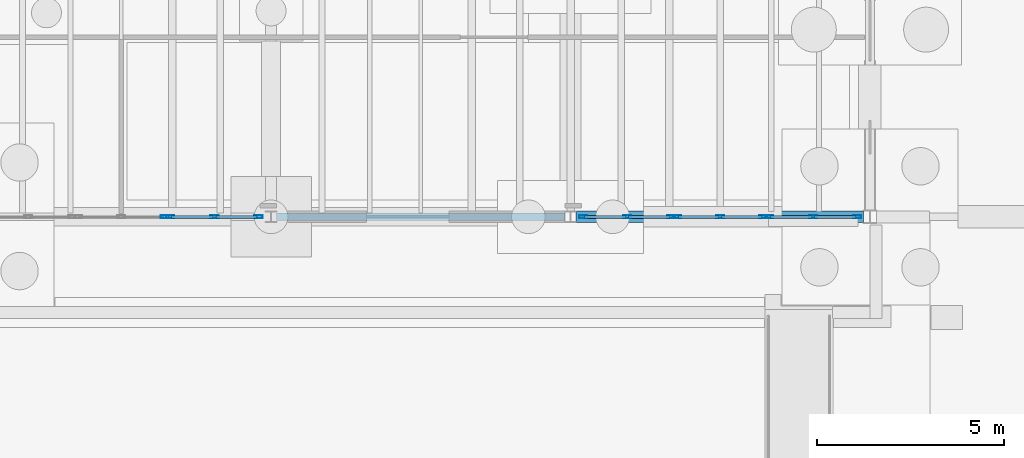
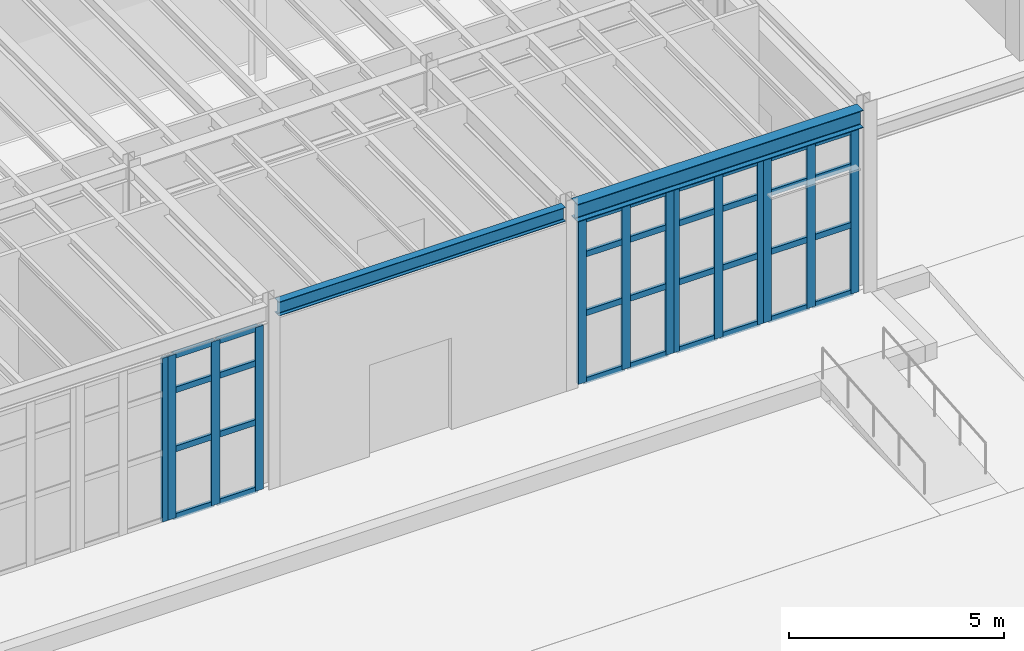
# One storey, part 24 of 86: 45 members, 2 beams, 5 elements without a shape of their own.
"""IFC4 building model written with IfcOpenShell, lengths in metres."""

from ifc_helpers import new_model, si_unit, direction, frame, origin, origin_2d, place, context, subcontext, project, spatial, hollow_rectangle, i_section, extrude, material, material_profile, profile_set, type_object, element, aggregate, save


model = new_model("IFC4")

# Units and contexts
model_context = context("Model", 3, precision=1e-05, world=origin(), true_north=direction((0.0, 1.0)))
body_context = subcontext(model_context, "Body", "Model", "MODEL_VIEW")
ifc_project = project(units=[si_unit("LENGTHUNIT", "METRE"), si_unit("AREAUNIT", "SQUARE_METRE"), si_unit("VOLUMEUNIT", "CUBIC_METRE"), si_unit("PLANEANGLEUNIT", "RADIAN"), si_unit("MASSUNIT", "GRAM", prefix="KILO"), si_unit("THERMODYNAMICTEMPERATUREUNIT", "KELVIN"), si_unit("POWERUNIT", "WATT")], contexts=[model_context])

# Site, building, storey
site_placement = place(None, origin())
site = spatial("IfcSite", under=ifc_project, at=site_placement, CompositionType="ELEMENT")
building_placement = place(site_placement, origin())
building = spatial("IfcBuilding", under=site, at=building_placement, Name="Zhenchuan Central Fire Station", CompositionType="ELEMENT")
storey_placement = place(building_placement, frame((0.0, 0.0, 0.449951171875)))
storey = spatial("IfcBuildingStorey", under=building, at=storey_placement, Name="L01", CompositionType="ELEMENT", Elevation=0.449951171875)

# Beam
ifc_material_1 = material(Name="Steel Q355B", Category="steel")
ifc_material_profile_1 = material_profile(ifc_material_1, i_section(OverallWidth=0.300048828125, OverallDepth=0.5, WebThickness=0.010986328125, FlangeThickness=0.01806640625, FilletRadius=0.02197265625, at=origin_2d()), Name="HM 500x300")
ifc_profile_set_1 = profile_set([ifc_material_profile_1], Name="Steel Q355B")
beam_type_1 = type_object("IfcBeamType", Name="BM-HM500", PredefinedType="BEAM", material=ifc_profile_set_1)
beam_1_placement = place(storey_placement, frame((40.14990234375, 0.0, 4.949951171875), z_axis=(1.0, 0.0, 0.0), x_axis=(0.0, 1.0, 0.0)))
element("IfcBeam", 1, at=beam_1_placement, inside=storey, type_object=beam_type_1, Name="L02 Girder EW 0006", PredefinedType="BEAM", context=body_context, shape_type="SweptSolid", body=[
    extrude(i_section(OverallWidth=0.300048828125, OverallDepth=0.5, WebThickness=0.010986328125, FlangeThickness=0.01806640625, FilletRadius=0.02197265625, at=origin_2d()), origin(), (0.0, 0.0, 1.0), 7.675048828125),
])

# Curtain wall, member
ifc_material_2 = material(Name="Anodised aluminium and low-E glazing", Category="aluminium")
curtain_wall_type_1 = type_object("IfcCurtainWallType", Name="CW-MOD-16", PredefinedType="USERDEFINED", material=ifc_material_2)
curtain_wall_1_placement = place(storey_placement, origin())
curtain_wall_1 = element("IfcCurtainWall", 2, at=curtain_wall_1_placement, inside=storey, type_object=curtain_wall_type_1, Name="L01 Unitised Curtain Wall 020", ObjectType="UNITISED GLAZING", PredefinedType="USERDEFINED")
ifc_material_3 = material(Name="Anodised aluminium EN AW-6063", Category="aluminium")
ifc_material_profile_2 = material_profile(ifc_material_3, hollow_rectangle(XDim=0.080078125, YDim=0.219970703125, WallThickness=0.005615234375, at=origin_2d()), Name="ALU-M 220x80")
ifc_profile_set_2 = profile_set([ifc_material_profile_2], Name="Anodised aluminium EN AW-6063")
member_type_1 = type_object("IfcMemberType", Name="CW-MUL200", PredefinedType="MULLION", material=ifc_profile_set_2)
member_1_placement = place(storey_placement, frame((29.15771484375, 0.0, -0.00390625), z_axis=(0.0, 0.0, 1.0), x_axis=(0.0, 1.0, 0.0)))
member_1 = element("IfcMember", 3, at=member_1_placement, type_object=member_type_1, Name="CW-16 mullion 3", PredefinedType="MULLION", context=body_context, shape_type="SweptSolid", body=[
    extrude(hollow_rectangle(XDim=0.080078125, YDim=0.219970703125, WallThickness=0.005615234375, at=origin_2d()), origin(), (0.0, 0.0, 1.0), 4.654052734375),
])
aggregate(curtain_wall_1, [member_1])

# Curtain wall, members
curtain_wall_type_2 = type_object("IfcCurtainWallType", Name="CW-MOD-17", PredefinedType="USERDEFINED", material=ifc_material_2)
curtain_wall_2_placement = place(storey_placement, origin())
curtain_wall_2 = element("IfcCurtainWall", 4, at=curtain_wall_2_placement, inside=storey, type_object=curtain_wall_type_2, Name="L01 Unitised Curtain Wall 021", ObjectType="UNITISED GLAZING", PredefinedType="USERDEFINED")
member_2_placement = place(storey_placement, frame((29.308837890625, 0.0, -0.00390625), z_axis=(0.0, 0.0, 1.0), x_axis=(0.0, 1.0, 0.0)))
member_2 = element("IfcMember", 5, at=member_2_placement, type_object=member_type_1, Name="CW-17 mullion 1", PredefinedType="MULLION", context=body_context, shape_type="SweptSolid", body=[
    extrude(hollow_rectangle(XDim=0.080078125, YDim=0.219970703125, WallThickness=0.005615234375, at=origin_2d()), origin(), (0.0, 0.0, 1.0), 4.654052734375),
])
member_3_placement = place(storey_placement, frame((30.485595703125, 0.0, -0.00390625), z_axis=(0.0, 0.0, 1.0), x_axis=(0.0, 1.0, 0.0)))
member_3 = element("IfcMember", 6, at=member_3_placement, type_object=member_type_1, Name="CW-17 mullion 2", PredefinedType="MULLION", context=body_context, shape_type="SweptSolid", body=[
    extrude(hollow_rectangle(XDim=0.080078125, YDim=0.219970703125, WallThickness=0.005615234375, at=origin_2d()), origin(), (0.0, 0.0, 1.0), 4.654052734375),
])
member_4_placement = place(storey_placement, frame((31.66259765625, 0.0, -0.00390625), z_axis=(0.0, 0.0, 1.0), x_axis=(0.0, 1.0, 0.0)))
member_4 = element("IfcMember", 7, at=member_4_placement, type_object=member_type_1, Name="CW-17 mullion 3", PredefinedType="MULLION", context=body_context, shape_type="SweptSolid", body=[
    extrude(hollow_rectangle(XDim=0.080078125, YDim=0.219970703125, WallThickness=0.005615234375, at=origin_2d()), origin(), (0.0, 0.0, 1.0), 4.654052734375),
])

curtain_wall_3_placement = place(storey_placement, origin())
curtain_wall_3 = element("IfcCurtainWall", 8, at=curtain_wall_3_placement, inside=storey, type_object=curtain_wall_type_2, Name="L01 Unitised Curtain Wall 022", ObjectType="UNITISED GLAZING", PredefinedType="USERDEFINED")
member_5_placement = place(storey_placement, frame((40.33740234375, 0.0, -0.00390625), z_axis=(0.0, 0.0, 1.0), x_axis=(0.0, 1.0, 0.0)))
member_5 = element("IfcMember", 9, at=member_5_placement, type_object=member_type_1, Name="CW-17 mullion 1", PredefinedType="MULLION", context=body_context, shape_type="SweptSolid", body=[
    extrude(hollow_rectangle(XDim=0.080078125, YDim=0.219970703125, WallThickness=0.005615234375, at=origin_2d()), origin(), (0.0, 0.0, 1.0), 4.654052734375),
])
member_6_placement = place(storey_placement, frame((41.514404296875, 0.0, -0.00390625), z_axis=(0.0, 0.0, 1.0), x_axis=(0.0, 1.0, 0.0)))
member_6 = element("IfcMember", 10, at=member_6_placement, type_object=member_type_1, Name="CW-17 mullion 2", PredefinedType="MULLION", context=body_context, shape_type="SweptSolid", body=[
    extrude(hollow_rectangle(XDim=0.080078125, YDim=0.219970703125, WallThickness=0.005615234375, at=origin_2d()), origin(), (0.0, 0.0, 1.0), 4.654052734375),
])
member_7_placement = place(storey_placement, frame((42.691162109375, 0.0, -0.00390625), z_axis=(0.0, 0.0, 1.0), x_axis=(0.0, 1.0, 0.0)))
member_7 = element("IfcMember", 11, at=member_7_placement, type_object=member_type_1, Name="CW-17 mullion 3", PredefinedType="MULLION", context=body_context, shape_type="SweptSolid", body=[
    extrude(hollow_rectangle(XDim=0.080078125, YDim=0.219970703125, WallThickness=0.005615234375, at=origin_2d()), origin(), (0.0, 0.0, 1.0), 4.654052734375),
])

curtain_wall_type_3 = type_object("IfcCurtainWallType", Name="CW-MOD-18", PredefinedType="USERDEFINED", material=ifc_material_2)
curtain_wall_4_placement = place(storey_placement, origin())
curtain_wall_4 = element("IfcCurtainWall", 12, at=curtain_wall_4_placement, inside=storey, type_object=curtain_wall_type_3, Name="L01 Unitised Curtain Wall 023", ObjectType="UNITISED GLAZING", PredefinedType="USERDEFINED")
member_8_placement = place(storey_placement, frame((42.84228515625, 0.0, -0.00390625), z_axis=(0.0, 0.0, 1.0), x_axis=(0.0, 1.0, 0.0)))
member_8 = element("IfcMember", 13, at=member_8_placement, type_object=member_type_1, Name="CW-18 mullion 1", PredefinedType="MULLION", context=body_context, shape_type="SweptSolid", body=[
    extrude(hollow_rectangle(XDim=0.080078125, YDim=0.219970703125, WallThickness=0.005615234375, at=origin_2d()), origin(), (0.0, 0.0, 1.0), 4.654052734375),
])
member_9_placement = place(storey_placement, frame((44.0, 0.0, -0.00390625), z_axis=(0.0, 0.0, 1.0), x_axis=(0.0, 1.0, 0.0)))
member_9 = element("IfcMember", 14, at=member_9_placement, type_object=member_type_1, Name="CW-18 mullion 2", PredefinedType="MULLION", context=body_context, shape_type="SweptSolid", body=[
    extrude(hollow_rectangle(XDim=0.080078125, YDim=0.219970703125, WallThickness=0.005615234375, at=origin_2d()), origin(), (0.0, 0.0, 1.0), 4.654052734375),
])
member_10_placement = place(storey_placement, frame((45.15771484375, 0.0, -0.00390625), z_axis=(0.0, 0.0, 1.0), x_axis=(0.0, 1.0, 0.0)))
member_10 = element("IfcMember", 15, at=member_10_placement, type_object=member_type_1, Name="CW-18 mullion 3", PredefinedType="MULLION", context=body_context, shape_type="SweptSolid", body=[
    extrude(hollow_rectangle(XDim=0.080078125, YDim=0.219970703125, WallThickness=0.005615234375, at=origin_2d()), origin(), (0.0, 0.0, 1.0), 4.654052734375),
])

curtain_wall_type_4 = type_object("IfcCurtainWallType", Name="CW-MOD-19", PredefinedType="USERDEFINED", material=ifc_material_2)
curtain_wall_5_placement = place(storey_placement, origin())
curtain_wall_5 = element("IfcCurtainWall", 16, at=curtain_wall_5_placement, inside=storey, type_object=curtain_wall_type_4, Name="L01 Unitised Curtain Wall 024", ObjectType="UNITISED GLAZING", PredefinedType="USERDEFINED")
member_11_placement = place(storey_placement, frame((45.308837890625, 0.0, -0.00390625), z_axis=(0.0, 0.0, 1.0), x_axis=(0.0, 1.0, 0.0)))
member_11 = element("IfcMember", 17, at=member_11_placement, type_object=member_type_1, Name="CW-19 mullion 1", PredefinedType="MULLION", context=body_context, shape_type="SweptSolid", body=[
    extrude(hollow_rectangle(XDim=0.080078125, YDim=0.219970703125, WallThickness=0.005615234375, at=origin_2d()), origin(), (0.0, 0.0, 1.0), 4.654052734375),
])
member_12_placement = place(storey_placement, frame((46.485595703125, 0.0, -0.00390625), z_axis=(0.0, 0.0, 1.0), x_axis=(0.0, 1.0, 0.0)))
member_12 = element("IfcMember", 18, at=member_12_placement, type_object=member_type_1, Name="CW-19 mullion 2", PredefinedType="MULLION", context=body_context, shape_type="SweptSolid", body=[
    extrude(hollow_rectangle(XDim=0.080078125, YDim=0.219970703125, WallThickness=0.005615234375, at=origin_2d()), origin(), (0.0, 0.0, 1.0), 4.654052734375),
])
member_13_placement = place(storey_placement, frame((47.66259765625, 0.0, -0.00390625), z_axis=(0.0, 0.0, 1.0), x_axis=(0.0, 1.0, 0.0)))
member_13 = element("IfcMember", 19, at=member_13_placement, type_object=member_type_1, Name="CW-19 mullion 3", PredefinedType="MULLION", context=body_context, shape_type="SweptSolid", body=[
    extrude(hollow_rectangle(XDim=0.080078125, YDim=0.219970703125, WallThickness=0.005615234375, at=origin_2d()), origin(), (0.0, 0.0, 1.0), 4.654052734375),
])

# Member
ifc_material_profile_3 = material_profile(ifc_material_3, hollow_rectangle(XDim=0.080078125, YDim=0.1650390625, WallThickness=0.0048828125, at=origin_2d()), Name="ALU-T 165x80")
ifc_profile_set_3 = profile_set([ifc_material_profile_3], Name="Anodised aluminium EN AW-6063")
member_type_2 = type_object("IfcMemberType", Name="CW-TRN150", PredefinedType="NOTDEFINED", material=ifc_profile_set_3)
member_14_placement = place(storey_placement, frame((29.34619140625, 0.0, 0.033447265625), z_axis=(1.0, 0.0, 0.0), x_axis=(0.0, 1.0, 0.0)))
member_14 = element("IfcMember", 20, at=member_14_placement, type_object=member_type_2, Name="CW-17 transom 1.1", ObjectType="TRANSOM", PredefinedType="USERDEFINED", context=body_context, shape_type="SweptSolid", body=[
    extrude(hollow_rectangle(XDim=0.080078125, YDim=0.1650390625, WallThickness=0.0048828125, at=origin_2d()), origin(), (0.0, 0.0, 1.0), 1.10205078125),
])

member_15_placement = place(storey_placement, frame((29.34619140625, 0.0, 1.953125), z_axis=(1.0, 0.0, 0.0), x_axis=(0.0, 1.0, 0.0)))
member_15 = element("IfcMember", 21, at=member_15_placement, type_object=member_type_2, Name="CW-17 transom 1.2", ObjectType="TRANSOM", PredefinedType="USERDEFINED", context=body_context, shape_type="SweptSolid", body=[
    extrude(hollow_rectangle(XDim=0.080078125, YDim=0.1650390625, WallThickness=0.0048828125, at=origin_2d()), origin(), (0.0, 0.0, 1.0), 1.10205078125),
])

member_16_placement = place(storey_placement, frame((29.34619140625, 0.0, 3.626953125), z_axis=(1.0, 0.0, 0.0), x_axis=(0.0, 1.0, 0.0)))
member_16 = element("IfcMember", 22, at=member_16_placement, type_object=member_type_2, Name="CW-17 transom 1.3", ObjectType="TRANSOM", PredefinedType="USERDEFINED", context=body_context, shape_type="SweptSolid", body=[
    extrude(hollow_rectangle(XDim=0.080078125, YDim=0.1650390625, WallThickness=0.0048828125, at=origin_2d()), origin(), (0.0, 0.0, 1.0), 1.10205078125),
])

member_17_placement = place(storey_placement, frame((29.34619140625, 0.0, 4.612548828125), z_axis=(1.0, 0.0, 0.0), x_axis=(0.0, 1.0, 0.0)))
member_17 = element("IfcMember", 23, at=member_17_placement, type_object=member_type_2, Name="CW-17 transom 1.4", ObjectType="TRANSOM", PredefinedType="USERDEFINED", context=body_context, shape_type="SweptSolid", body=[
    extrude(hollow_rectangle(XDim=0.080078125, YDim=0.1650390625, WallThickness=0.0048828125, at=origin_2d()), origin(), (0.0, 0.0, 1.0), 1.10205078125),
])

member_18_placement = place(storey_placement, frame((30.523193359375, 0.0, 0.033447265625), z_axis=(1.0, 0.0, 0.0), x_axis=(0.0, 1.0, 0.0)))
member_18 = element("IfcMember", 24, at=member_18_placement, type_object=member_type_2, Name="CW-17 transom 2.1", ObjectType="TRANSOM", PredefinedType="USERDEFINED", context=body_context, shape_type="SweptSolid", body=[
    extrude(hollow_rectangle(XDim=0.080078125, YDim=0.1650390625, WallThickness=0.0048828125, at=origin_2d()), origin(), (0.0, 0.0, 1.0), 1.101806640625),
])

member_19_placement = place(storey_placement, frame((30.523193359375, 0.0, 1.953125), z_axis=(1.0, 0.0, 0.0), x_axis=(0.0, 1.0, 0.0)))
member_19 = element("IfcMember", 25, at=member_19_placement, type_object=member_type_2, Name="CW-17 transom 2.2", ObjectType="TRANSOM", PredefinedType="USERDEFINED", context=body_context, shape_type="SweptSolid", body=[
    extrude(hollow_rectangle(XDim=0.080078125, YDim=0.1650390625, WallThickness=0.0048828125, at=origin_2d()), origin(), (0.0, 0.0, 1.0), 1.101806640625),
])

member_20_placement = place(storey_placement, frame((30.523193359375, 0.0, 3.626953125), z_axis=(1.0, 0.0, 0.0), x_axis=(0.0, 1.0, 0.0)))
member_20 = element("IfcMember", 26, at=member_20_placement, type_object=member_type_2, Name="CW-17 transom 2.3", ObjectType="TRANSOM", PredefinedType="USERDEFINED", context=body_context, shape_type="SweptSolid", body=[
    extrude(hollow_rectangle(XDim=0.080078125, YDim=0.1650390625, WallThickness=0.0048828125, at=origin_2d()), origin(), (0.0, 0.0, 1.0), 1.101806640625),
])

member_21_placement = place(storey_placement, frame((30.523193359375, 0.0, 4.612548828125), z_axis=(1.0, 0.0, 0.0), x_axis=(0.0, 1.0, 0.0)))
member_21 = element("IfcMember", 27, at=member_21_placement, type_object=member_type_2, Name="CW-17 transom 2.4", ObjectType="TRANSOM", PredefinedType="USERDEFINED", context=body_context, shape_type="SweptSolid", body=[
    extrude(hollow_rectangle(XDim=0.080078125, YDim=0.1650390625, WallThickness=0.0048828125, at=origin_2d()), origin(), (0.0, 0.0, 1.0), 1.101806640625),
])

aggregate(curtain_wall_2, [member_2, member_3, member_4, member_14, member_15, member_16, member_17, member_18, member_19, member_20, member_21])

member_22_placement = place(storey_placement, frame((40.375, 0.0, 0.033447265625), z_axis=(1.0, 0.0, 0.0), x_axis=(0.0, 1.0, 0.0)))
member_22 = element("IfcMember", 28, at=member_22_placement, type_object=member_type_2, Name="CW-17 transom 1.1", ObjectType="TRANSOM", PredefinedType="USERDEFINED", context=body_context, shape_type="SweptSolid", body=[
    extrude(hollow_rectangle(XDim=0.080078125, YDim=0.1650390625, WallThickness=0.0048828125, at=origin_2d()), origin(), (0.0, 0.0, 1.0), 1.101806640625),
])

member_23_placement = place(storey_placement, frame((40.375, 0.0, 1.953125), z_axis=(1.0, 0.0, 0.0), x_axis=(0.0, 1.0, 0.0)))
member_23 = element("IfcMember", 29, at=member_23_placement, type_object=member_type_2, Name="CW-17 transom 1.2", ObjectType="TRANSOM", PredefinedType="USERDEFINED", context=body_context, shape_type="SweptSolid", body=[
    extrude(hollow_rectangle(XDim=0.080078125, YDim=0.1650390625, WallThickness=0.0048828125, at=origin_2d()), origin(), (0.0, 0.0, 1.0), 1.101806640625),
])

member_24_placement = place(storey_placement, frame((40.375, 0.0, 3.626953125), z_axis=(1.0, 0.0, 0.0), x_axis=(0.0, 1.0, 0.0)))
member_24 = element("IfcMember", 30, at=member_24_placement, type_object=member_type_2, Name="CW-17 transom 1.3", ObjectType="TRANSOM", PredefinedType="USERDEFINED", context=body_context, shape_type="SweptSolid", body=[
    extrude(hollow_rectangle(XDim=0.080078125, YDim=0.1650390625, WallThickness=0.0048828125, at=origin_2d()), origin(), (0.0, 0.0, 1.0), 1.101806640625),
])

member_25_placement = place(storey_placement, frame((40.375, 0.0, 4.612548828125), z_axis=(1.0, 0.0, 0.0), x_axis=(0.0, 1.0, 0.0)))
member_25 = element("IfcMember", 31, at=member_25_placement, type_object=member_type_2, Name="CW-17 transom 1.4", ObjectType="TRANSOM", PredefinedType="USERDEFINED", context=body_context, shape_type="SweptSolid", body=[
    extrude(hollow_rectangle(XDim=0.080078125, YDim=0.1650390625, WallThickness=0.0048828125, at=origin_2d()), origin(), (0.0, 0.0, 1.0), 1.101806640625),
])

member_26_placement = place(storey_placement, frame((41.5517578125, 0.0, 0.033447265625), z_axis=(1.0, 0.0, 0.0), x_axis=(0.0, 1.0, 0.0)))
member_26 = element("IfcMember", 32, at=member_26_placement, type_object=member_type_2, Name="CW-17 transom 2.1", ObjectType="TRANSOM", PredefinedType="USERDEFINED", context=body_context, shape_type="SweptSolid", body=[
    extrude(hollow_rectangle(XDim=0.080078125, YDim=0.1650390625, WallThickness=0.0048828125, at=origin_2d()), origin(), (0.0, 0.0, 1.0), 1.10205078125),
])

member_27_placement = place(storey_placement, frame((41.5517578125, 0.0, 1.953125), z_axis=(1.0, 0.0, 0.0), x_axis=(0.0, 1.0, 0.0)))
member_27 = element("IfcMember", 33, at=member_27_placement, type_object=member_type_2, Name="CW-17 transom 2.2", ObjectType="TRANSOM", PredefinedType="USERDEFINED", context=body_context, shape_type="SweptSolid", body=[
    extrude(hollow_rectangle(XDim=0.080078125, YDim=0.1650390625, WallThickness=0.0048828125, at=origin_2d()), origin(), (0.0, 0.0, 1.0), 1.10205078125),
])

member_28_placement = place(storey_placement, frame((41.5517578125, 0.0, 3.626953125), z_axis=(1.0, 0.0, 0.0), x_axis=(0.0, 1.0, 0.0)))
member_28 = element("IfcMember", 34, at=member_28_placement, type_object=member_type_2, Name="CW-17 transom 2.3", ObjectType="TRANSOM", PredefinedType="USERDEFINED", context=body_context, shape_type="SweptSolid", body=[
    extrude(hollow_rectangle(XDim=0.080078125, YDim=0.1650390625, WallThickness=0.0048828125, at=origin_2d()), origin(), (0.0, 0.0, 1.0), 1.10205078125),
])

member_29_placement = place(storey_placement, frame((41.5517578125, 0.0, 4.612548828125), z_axis=(1.0, 0.0, 0.0), x_axis=(0.0, 1.0, 0.0)))
member_29 = element("IfcMember", 35, at=member_29_placement, type_object=member_type_2, Name="CW-17 transom 2.4", ObjectType="TRANSOM", PredefinedType="USERDEFINED", context=body_context, shape_type="SweptSolid", body=[
    extrude(hollow_rectangle(XDim=0.080078125, YDim=0.1650390625, WallThickness=0.0048828125, at=origin_2d()), origin(), (0.0, 0.0, 1.0), 1.10205078125),
])

aggregate(curtain_wall_3, [member_5, member_6, member_7, member_22, member_23, member_24, member_25, member_26, member_27, member_28, member_29])

member_30_placement = place(storey_placement, frame((42.879638671875, 0.0, 0.033447265625), z_axis=(1.0, 0.0, 0.0), x_axis=(0.0, 1.0, 0.0)))
member_30 = element("IfcMember", 36, at=member_30_placement, type_object=member_type_2, Name="CW-18 transom 1.1", ObjectType="TRANSOM", PredefinedType="USERDEFINED", context=body_context, shape_type="SweptSolid", body=[
    extrude(hollow_rectangle(XDim=0.080078125, YDim=0.1650390625, WallThickness=0.0048828125, at=origin_2d()), origin(), (0.0, 0.0, 1.0), 1.082763671875),
])

member_31_placement = place(storey_placement, frame((42.879638671875, 0.0, 1.953125), z_axis=(1.0, 0.0, 0.0), x_axis=(0.0, 1.0, 0.0)))
member_31 = element("IfcMember", 37, at=member_31_placement, type_object=member_type_2, Name="CW-18 transom 1.2", ObjectType="TRANSOM", PredefinedType="USERDEFINED", context=body_context, shape_type="SweptSolid", body=[
    extrude(hollow_rectangle(XDim=0.080078125, YDim=0.1650390625, WallThickness=0.0048828125, at=origin_2d()), origin(), (0.0, 0.0, 1.0), 1.082763671875),
])

member_32_placement = place(storey_placement, frame((42.879638671875, 0.0, 3.626953125), z_axis=(1.0, 0.0, 0.0), x_axis=(0.0, 1.0, 0.0)))
member_32 = element("IfcMember", 38, at=member_32_placement, type_object=member_type_2, Name="CW-18 transom 1.3", ObjectType="TRANSOM", PredefinedType="USERDEFINED", context=body_context, shape_type="SweptSolid", body=[
    extrude(hollow_rectangle(XDim=0.080078125, YDim=0.1650390625, WallThickness=0.0048828125, at=origin_2d()), origin(), (0.0, 0.0, 1.0), 1.082763671875),
])

member_33_placement = place(storey_placement, frame((42.879638671875, 0.0, 4.612548828125), z_axis=(1.0, 0.0, 0.0), x_axis=(0.0, 1.0, 0.0)))
member_33 = element("IfcMember", 39, at=member_33_placement, type_object=member_type_2, Name="CW-18 transom 1.4", ObjectType="TRANSOM", PredefinedType="USERDEFINED", context=body_context, shape_type="SweptSolid", body=[
    extrude(hollow_rectangle(XDim=0.080078125, YDim=0.1650390625, WallThickness=0.0048828125, at=origin_2d()), origin(), (0.0, 0.0, 1.0), 1.082763671875),
])

member_34_placement = place(storey_placement, frame((44.03759765625, 0.0, 0.033447265625), z_axis=(1.0, 0.0, 0.0), x_axis=(0.0, 1.0, 0.0)))
member_34 = element("IfcMember", 40, at=member_34_placement, type_object=member_type_2, Name="CW-18 transom 2.1", ObjectType="TRANSOM", PredefinedType="USERDEFINED", context=body_context, shape_type="SweptSolid", body=[
    extrude(hollow_rectangle(XDim=0.080078125, YDim=0.1650390625, WallThickness=0.0048828125, at=origin_2d()), origin(), (0.0, 0.0, 1.0), 1.082763671875),
])

member_35_placement = place(storey_placement, frame((44.03759765625, 0.0, 1.953125), z_axis=(1.0, 0.0, 0.0), x_axis=(0.0, 1.0, 0.0)))
member_35 = element("IfcMember", 41, at=member_35_placement, type_object=member_type_2, Name="CW-18 transom 2.2", ObjectType="TRANSOM", PredefinedType="USERDEFINED", context=body_context, shape_type="SweptSolid", body=[
    extrude(hollow_rectangle(XDim=0.080078125, YDim=0.1650390625, WallThickness=0.0048828125, at=origin_2d()), origin(), (0.0, 0.0, 1.0), 1.082763671875),
])

member_36_placement = place(storey_placement, frame((44.03759765625, 0.0, 3.626953125), z_axis=(1.0, 0.0, 0.0), x_axis=(0.0, 1.0, 0.0)))
member_36 = element("IfcMember", 42, at=member_36_placement, type_object=member_type_2, Name="CW-18 transom 2.3", ObjectType="TRANSOM", PredefinedType="USERDEFINED", context=body_context, shape_type="SweptSolid", body=[
    extrude(hollow_rectangle(XDim=0.080078125, YDim=0.1650390625, WallThickness=0.0048828125, at=origin_2d()), origin(), (0.0, 0.0, 1.0), 1.082763671875),
])

member_37_placement = place(storey_placement, frame((44.03759765625, 0.0, 4.612548828125), z_axis=(1.0, 0.0, 0.0), x_axis=(0.0, 1.0, 0.0)))
member_37 = element("IfcMember", 43, at=member_37_placement, type_object=member_type_2, Name="CW-18 transom 2.4", ObjectType="TRANSOM", PredefinedType="USERDEFINED", context=body_context, shape_type="SweptSolid", body=[
    extrude(hollow_rectangle(XDim=0.080078125, YDim=0.1650390625, WallThickness=0.0048828125, at=origin_2d()), origin(), (0.0, 0.0, 1.0), 1.082763671875),
])

aggregate(curtain_wall_4, [member_8, member_9, member_10, member_30, member_31, member_32, member_33, member_34, member_35, member_36, member_37])

member_38_placement = place(storey_placement, frame((45.34619140625, 0.0, 0.033447265625), z_axis=(1.0, 0.0, 0.0), x_axis=(0.0, 1.0, 0.0)))
member_38 = element("IfcMember", 44, at=member_38_placement, type_object=member_type_2, Name="CW-19 transom 1.1", ObjectType="TRANSOM", PredefinedType="USERDEFINED", context=body_context, shape_type="SweptSolid", body=[
    extrude(hollow_rectangle(XDim=0.080078125, YDim=0.1650390625, WallThickness=0.0048828125, at=origin_2d()), origin(), (0.0, 0.0, 1.0), 1.10205078125),
])

member_39_placement = place(storey_placement, frame((45.34619140625, 0.0, 1.953125), z_axis=(1.0, 0.0, 0.0), x_axis=(0.0, 1.0, 0.0)))
member_39 = element("IfcMember", 45, at=member_39_placement, type_object=member_type_2, Name="CW-19 transom 1.2", ObjectType="TRANSOM", PredefinedType="USERDEFINED", context=body_context, shape_type="SweptSolid", body=[
    extrude(hollow_rectangle(XDim=0.080078125, YDim=0.1650390625, WallThickness=0.0048828125, at=origin_2d()), origin(), (0.0, 0.0, 1.0), 1.10205078125),
])

member_40_placement = place(storey_placement, frame((45.34619140625, 0.0, 3.626953125), z_axis=(1.0, 0.0, 0.0), x_axis=(0.0, 1.0, 0.0)))
member_40 = element("IfcMember", 46, at=member_40_placement, type_object=member_type_2, Name="CW-19 transom 1.3", ObjectType="TRANSOM", PredefinedType="USERDEFINED", context=body_context, shape_type="SweptSolid", body=[
    extrude(hollow_rectangle(XDim=0.080078125, YDim=0.1650390625, WallThickness=0.0048828125, at=origin_2d()), origin(), (0.0, 0.0, 1.0), 1.10205078125),
])

member_41_placement = place(storey_placement, frame((45.34619140625, 0.0, 4.612548828125), z_axis=(1.0, 0.0, 0.0), x_axis=(0.0, 1.0, 0.0)))
member_41 = element("IfcMember", 47, at=member_41_placement, type_object=member_type_2, Name="CW-19 transom 1.4", ObjectType="TRANSOM", PredefinedType="USERDEFINED", context=body_context, shape_type="SweptSolid", body=[
    extrude(hollow_rectangle(XDim=0.080078125, YDim=0.1650390625, WallThickness=0.0048828125, at=origin_2d()), origin(), (0.0, 0.0, 1.0), 1.10205078125),
])

member_42_placement = place(storey_placement, frame((46.523193359375, 0.0, 0.033447265625), z_axis=(1.0, 0.0, 0.0), x_axis=(0.0, 1.0, 0.0)))
member_42 = element("IfcMember", 48, at=member_42_placement, type_object=member_type_2, Name="CW-19 transom 2.1", ObjectType="TRANSOM", PredefinedType="USERDEFINED", context=body_context, shape_type="SweptSolid", body=[
    extrude(hollow_rectangle(XDim=0.080078125, YDim=0.1650390625, WallThickness=0.0048828125, at=origin_2d()), origin(), (0.0, 0.0, 1.0), 1.101806640625),
])

member_43_placement = place(storey_placement, frame((46.523193359375, 0.0, 1.953125), z_axis=(1.0, 0.0, 0.0), x_axis=(0.0, 1.0, 0.0)))
member_43 = element("IfcMember", 49, at=member_43_placement, type_object=member_type_2, Name="CW-19 transom 2.2", ObjectType="TRANSOM", PredefinedType="USERDEFINED", context=body_context, shape_type="SweptSolid", body=[
    extrude(hollow_rectangle(XDim=0.080078125, YDim=0.1650390625, WallThickness=0.0048828125, at=origin_2d()), origin(), (0.0, 0.0, 1.0), 1.101806640625),
])

member_44_placement = place(storey_placement, frame((46.523193359375, 0.0, 3.626953125), z_axis=(1.0, 0.0, 0.0), x_axis=(0.0, 1.0, 0.0)))
member_44 = element("IfcMember", 50, at=member_44_placement, type_object=member_type_2, Name="CW-19 transom 2.3", ObjectType="TRANSOM", PredefinedType="USERDEFINED", context=body_context, shape_type="SweptSolid", body=[
    extrude(hollow_rectangle(XDim=0.080078125, YDim=0.1650390625, WallThickness=0.0048828125, at=origin_2d()), origin(), (0.0, 0.0, 1.0), 1.101806640625),
])

member_45_placement = place(storey_placement, frame((46.523193359375, 0.0, 4.612548828125), z_axis=(1.0, 0.0, 0.0), x_axis=(0.0, 1.0, 0.0)))
member_45 = element("IfcMember", 51, at=member_45_placement, type_object=member_type_2, Name="CW-19 transom 2.4", ObjectType="TRANSOM", PredefinedType="USERDEFINED", context=body_context, shape_type="SweptSolid", body=[
    extrude(hollow_rectangle(XDim=0.080078125, YDim=0.1650390625, WallThickness=0.0048828125, at=origin_2d()), origin(), (0.0, 0.0, 1.0), 1.101806640625),
])

aggregate(curtain_wall_5, [member_11, member_12, member_13, member_38, member_39, member_40, member_41, member_42, member_43, member_44, member_45])

# Beam
ifc_material_profile_4 = material_profile(ifc_material_1, i_section(OverallWidth=0.199951171875, OverallDepth=0.39990234375, WebThickness=0.008056640625, FlangeThickness=0.012939453125, FilletRadius=0.01611328125, at=origin_2d()), Name="HN 400x200")
ifc_profile_set_4 = profile_set([ifc_material_profile_4], Name="Steel Q355B")
beam_type_2 = type_object("IfcBeamType", Name="SP-HN400", PredefinedType="SPANDREL", material=ifc_profile_set_4)
beam_2_placement = place(storey_placement, frame((32.14990234375, 0.0, 5.0), z_axis=(1.0, 0.0, 0.0), x_axis=(0.0, 1.0, 0.0)))
element("IfcBeam", 52, at=beam_2_placement, inside=storey, type_object=beam_type_2, Name="L02 Girder EW 0005", PredefinedType="SPANDREL", context=body_context, shape_type="SweptSolid", body=[
    extrude(i_section(OverallWidth=0.199951171875, OverallDepth=0.39990234375, WebThickness=0.008056640625, FlangeThickness=0.012939453125, FilletRadius=0.01611328125, at=origin_2d()), origin(), (0.0, 0.0, 1.0), 7.7001953125),
])

save(model, "model.ifc")
